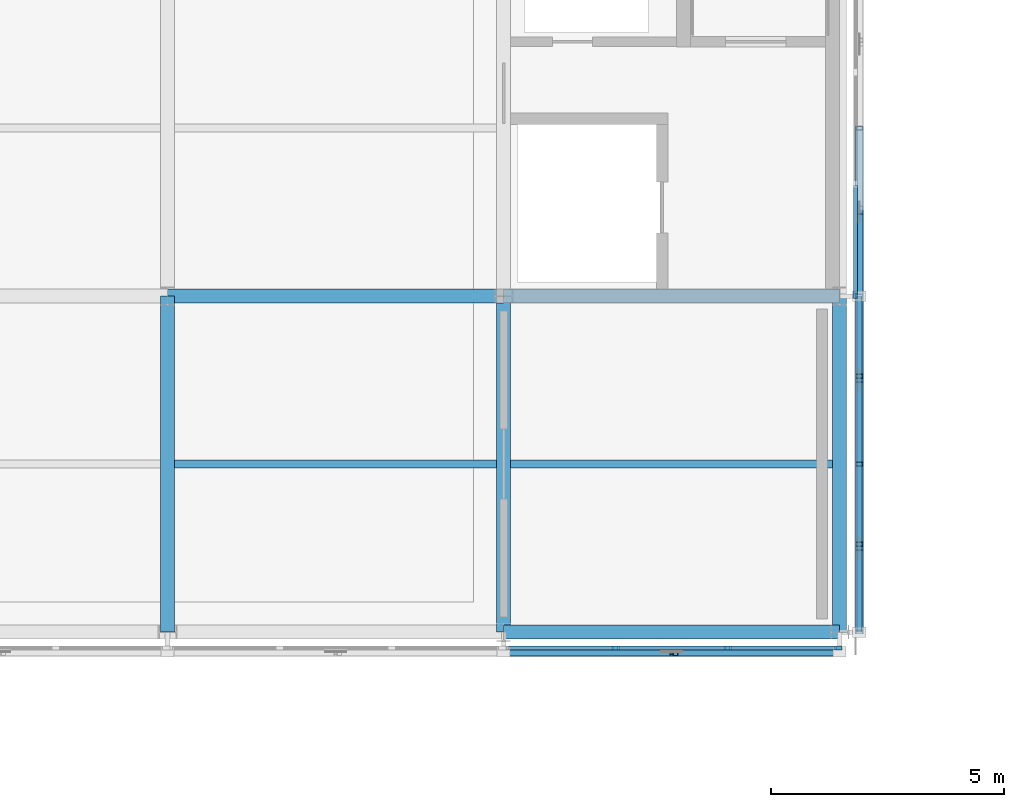
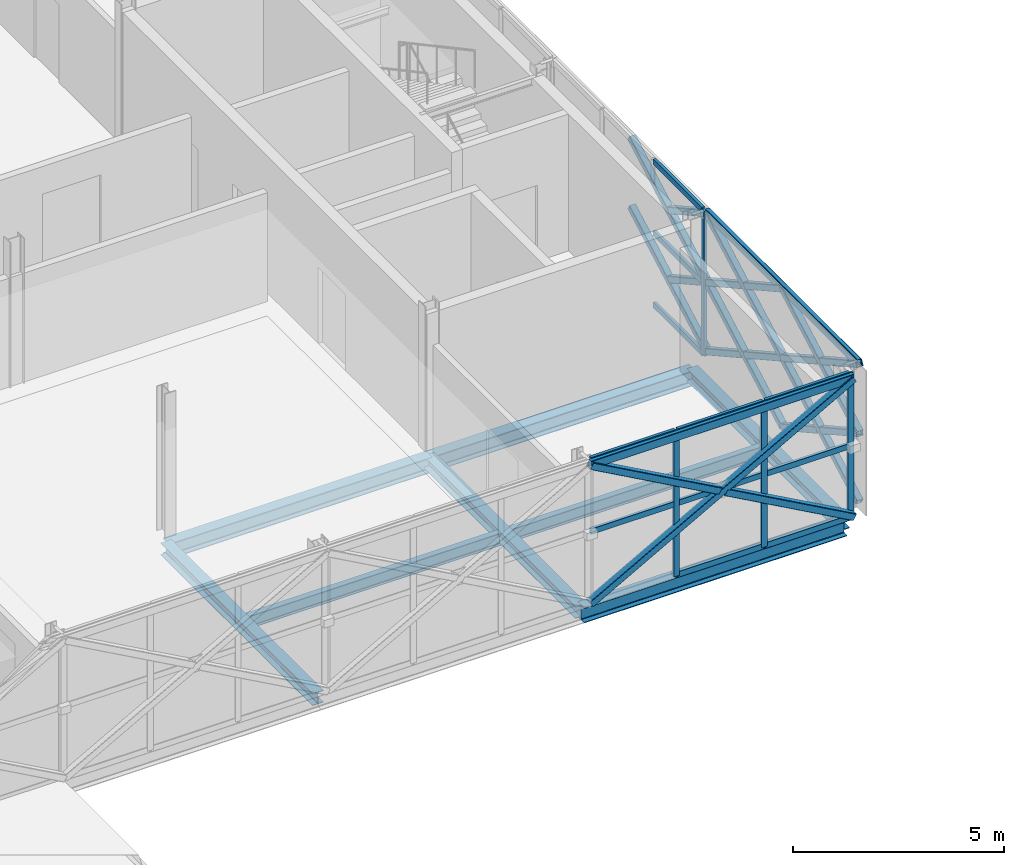
# One storey, part 52 of 126: 36 members, 8 beams, 2 elements without a shape of their own.
"""IFC4 building model written with IfcOpenShell, lengths in metres."""

from ifc_helpers import new_model, si_unit, direction, frame, origin, origin_2d, place, context, subcontext, project, spatial, rectangle, hollow_rectangle, i_section, extrude, material, material_profile, profile_set, type_object, element, aggregate, save


model = new_model("IFC4")

# Units and contexts
model_context = context("Model", 3, precision=1e-05, world=origin(), true_north=direction((0.0, 1.0)))
body_context = subcontext(model_context, "Body", "Model", "MODEL_VIEW")
ifc_project = project(units=[si_unit("LENGTHUNIT", "METRE"), si_unit("AREAUNIT", "SQUARE_METRE"), si_unit("VOLUMEUNIT", "CUBIC_METRE"), si_unit("PLANEANGLEUNIT", "RADIAN"), si_unit("MASSUNIT", "GRAM", prefix="KILO")], contexts=[model_context])

# Site, building, storey
site_placement = place(None, origin())
site = spatial("IfcSite", under=ifc_project, at=site_placement, CompositionType="ELEMENT")
building_placement = place(site_placement, origin())
building = spatial("IfcBuilding", under=site, at=building_placement, Name="Zlatovets Crest Museum", CompositionType="ELEMENT")
storey_placement = place(building_placement, frame((0.0, 0.0, 8.699951171875)))
storey = spatial("IfcBuildingStorey", under=building, at=storey_placement, Name="L02", CompositionType="ELEMENT", Elevation=8.699951171875)

# Beams
ifc_material_1 = material(Name="Structural steel S355J2", Category="steel")
ifc_material_profile_1 = material_profile(ifc_material_1, i_section(OverallWidth=0.300048828125, OverallDepth=0.35009765625, WebThickness=0.010009765625, FlangeThickness=0.017578125, FilletRadius=0.027099609375, at=origin_2d()), Name="HEA 360")
ifc_profile_set_1 = profile_set([ifc_material_profile_1], Name="Structural steel S355J2")
beam_type_1 = type_object("IfcBeamType", Name="Beam_B-03", PredefinedType="BEAM", material=ifc_profile_set_1)
for number, where, z_axis, x_axis, name in (
    (1, (93.60009765625, 86.39990234375, -0.39501953125), (0.0, 1.0, 0.0), (-1.0, 0.0, 0.0), "V1 L02 Grid Beam B-03"),
    (2, (100.800048828125, 86.39990234375, -0.39501953125), (0.0, 1.0, 0.0), (-1.0, 0.0, 0.0), "V1 L02 Grid Beam B-03"),
    (3, (108.0, 86.39990234375, -0.39501953125), (0.0, 1.0, 0.0), (-1.0, 0.0, 0.0), "V1 L02 Grid Beam B-03"),
):
    element("IfcBeam", number, at=place(storey_placement, frame(where, z_axis=z_axis, x_axis=x_axis)), inside=storey, type_object=beam_type_1, Name=name, PredefinedType="BEAM", context=body_context, shape_type="SweptSolid", body=[
        extrude(i_section(OverallWidth=0.300048828125, OverallDepth=0.35009765625, WebThickness=0.010009765625, FlangeThickness=0.017578125, FilletRadius=0.027099609375, at=origin_2d()), origin(), (0.0, 0.0, 1.0), 7.2001953125),
    ])
ifc_material_profile_2 = material_profile(ifc_material_1, i_section(OverallWidth=0.300048828125, OverallDepth=0.43994140625, WebThickness=0.011474609375, FlangeThickness=0.02099609375, FilletRadius=0.027099609375, at=origin_2d()), Name="HEA 450")
ifc_profile_set_2 = profile_set([ifc_material_profile_2], Name="Structural steel S355J2")
beam_type_2 = type_object("IfcBeamType", Name="Beam_B-10", PredefinedType="BEAM", material=ifc_profile_set_2)
for number, where, z_axis, x_axis, name in (
    (4, (100.800048828125, 86.39990234375, -0.43994140625), (1.0, 0.0, 0.0), (0.0, 1.0, 0.0), "V1 L02 Primary Girder B-10"),
    (5, (93.60009765625, 93.60009765625, -0.43994140625), (1.0, 0.0, 0.0), (0.0, 1.0, 0.0), "V1 L02 Primary Girder B-10"),
    (6, (100.800048828125, 93.60009765625, -0.43994140625), (1.0, 0.0, 0.0), (0.0, 1.0, 0.0), "V1 L02 Primary Girder B-10"),
):
    element("IfcBeam", number, at=place(storey_placement, frame(where, z_axis=z_axis, x_axis=x_axis)), inside=storey, type_object=beam_type_2, Name=name, PredefinedType="BEAM", context=body_context, shape_type="SweptSolid", body=[
        extrude(i_section(OverallWidth=0.300048828125, OverallDepth=0.43994140625, WebThickness=0.011474609375, FlangeThickness=0.02099609375, FilletRadius=0.027099609375, at=origin_2d()), origin(), (0.0, 0.0, 1.0), 7.199951171875),
    ])
ifc_material_profile_3 = material_profile(ifc_material_1, i_section(OverallWidth=0.169921875, OverallDepth=0.360107421875, WebThickness=0.008056640625, FlangeThickness=0.0126953125, FilletRadius=0.01806640625, at=origin_2d()), Name="IPE 360")
ifc_profile_set_3 = profile_set([ifc_material_profile_3], Name="Structural steel S355J2")
beam_type_3 = type_object("IfcBeamType", Name="Beam_J-01", PredefinedType="JOIST", material=ifc_profile_set_3)
beam_1_placement = place(storey_placement, frame((93.75, 90.0, -0.39990234375), z_axis=(1.0, 0.0, 0.0), x_axis=(0.0, 1.0, 0.0)))
element("IfcBeam", 7, at=beam_1_placement, inside=storey, type_object=beam_type_3, Name="V1 L02 Composite Joist J-01", PredefinedType="JOIST", context=body_context, shape_type="SweptSolid", body=[
    extrude(i_section(OverallWidth=0.169921875, OverallDepth=0.360107421875, WebThickness=0.008056640625, FlangeThickness=0.0126953125, FilletRadius=0.01806640625, at=origin_2d()), origin(), (0.0, 0.0, 1.0), 6.89990234375),
])
beam_2_placement = place(storey_placement, frame((100.949951171875, 90.0, -0.39990234375), z_axis=(1.0, 0.0, 0.0), x_axis=(0.0, 1.0, 0.0)))
element("IfcBeam", 8, at=beam_2_placement, inside=storey, type_object=beam_type_3, Name="V1 L02 Composite Joist J-01", PredefinedType="JOIST", context=body_context, shape_type="SweptSolid", body=[
    extrude(i_section(OverallWidth=0.169921875, OverallDepth=0.360107421875, WebThickness=0.008056640625, FlangeThickness=0.0126953125, FilletRadius=0.01806640625, at=origin_2d()), origin(), (0.0, 0.0, 1.0), 6.900146484375),
])

# Curtain wall, members
ifc_material_2 = material(Name="Bronze-anodised aluminium and low-E triple glass", Category="aluminium")
curtain_wall_type_1 = type_object("IfcCurtainWallType", Name="CW_CW-V1-L02-M2", PredefinedType="NOTDEFINED", material=ifc_material_2)
curtain_wall_1_placement = place(storey_placement, origin())
curtain_wall_1 = element("IfcCurtainWall", 9, at=curtain_wall_1_placement, inside=storey, type_object=curtain_wall_type_1, Name="V1 L02 Secession Foyer Clear Curtain Wall", PredefinedType="NOTDEFINED")
ifc_material_3 = material(Name="Bronze-anodised aluminium EN AW-6060", Category="aluminium")
ifc_material_profile_4 = material_profile(ifc_material_3, rectangle(XDim=0.080078125, YDim=0.159912109375, at=origin_2d()), Name="ALU 80x160")
ifc_profile_set_4 = profile_set([ifc_material_profile_4], Name="Bronze-anodised aluminium EN AW-6060")
member_type_1 = type_object("IfcMemberType", Name="CWMull_M1", PredefinedType="MULLION", material=ifc_profile_set_4)
member_1_placement = place(storey_placement, frame((103.199951171875, 86.06005859375, 0.0), z_axis=(0.0, 0.0, 1.0), x_axis=(0.0, 1.0, 0.0)))
member_1 = element("IfcMember", 10, at=member_1_placement, type_object=member_type_1, Name="CW-V1-L02-M2 mullion 2", PredefinedType="MULLION", context=body_context, shape_type="SweptSolid", body=[
    extrude(rectangle(XDim=0.080078125, YDim=0.159912109375, at=origin_2d()), origin(), (0.0, 0.0, 1.0), 4.199951171875),
])
member_2_placement = place(storey_placement, frame((105.60009765625, 86.06005859375, 0.0), z_axis=(0.0, 0.0, 1.0), x_axis=(0.0, 1.0, 0.0)))
member_2 = element("IfcMember", 11, at=member_2_placement, type_object=member_type_1, Name="CW-V1-L02-M2 mullion 3", PredefinedType="MULLION", context=body_context, shape_type="SweptSolid", body=[
    extrude(rectangle(XDim=0.080078125, YDim=0.159912109375, at=origin_2d()), origin(), (0.0, 0.0, 1.0), 4.199951171875),
])
member_3_placement = place(storey_placement, frame((107.969970703125, 86.06005859375, 0.0), z_axis=(0.0, 0.0, 1.0), x_axis=(0.0, 1.0, 0.0)))
member_3 = element("IfcMember", 12, at=member_3_placement, type_object=member_type_1, Name="CW-V1-L02-M2 mullion 4", PredefinedType="MULLION", context=body_context, shape_type="SweptSolid", body=[
    extrude(rectangle(XDim=0.080078125, YDim=0.159912109375, at=origin_2d()), origin(), (0.0, 0.0, 1.0), 4.199951171875),
])

# Curtain wall, member
curtain_wall_type_2 = type_object("IfcCurtainWallType", Name="CW_CW-V1-L02-M0", PredefinedType="NOTDEFINED", material=ifc_material_2)
curtain_wall_2_placement = place(storey_placement, origin())
curtain_wall_2 = element("IfcCurtainWall", 13, at=curtain_wall_2_placement, inside=storey, type_object=curtain_wall_type_2, Name="V1 L02 Expressed Core Glazed Facade", PredefinedType="NOTDEFINED")
member_4_placement = place(storey_placement, frame((108.340087890625, 93.6298828125, 0.0), z_axis=(0.0, 0.0, 1.0), x_axis=(-1.0, 0.0, 0.0)))
member_4 = element("IfcMember", 14, at=member_4_placement, type_object=member_type_1, Name="CW-V1-L02-M0 mullion 1", PredefinedType="MULLION", context=body_context, shape_type="SweptSolid", body=[
    extrude(rectangle(XDim=0.080078125, YDim=0.159912109375, at=origin_2d()), origin(), (0.0, 0.0, 1.0), 4.199951171875),
])

# Member
ifc_material_profile_5 = material_profile(ifc_material_3, rectangle(XDim=0.080078125, YDim=0.159912109375, at=origin_2d()), Name="ALU 80x160")
ifc_profile_set_5 = profile_set([ifc_material_profile_5], Name="Bronze-anodised aluminium EN AW-6060")
member_type_2 = type_object("IfcMemberType", Name="CWTrans_T1", PredefinedType="USERDEFINED", material=ifc_profile_set_5)
member_5_placement = place(storey_placement, frame((100.860107421875, 86.06005859375, 2.10009765625), z_axis=(1.0, 0.0, 0.0), x_axis=(0.0, 1.0, 0.0)))
member_5 = element("IfcMember", 15, at=member_5_placement, type_object=member_type_2, Name="CW-V1-L02-M2 transom 1.2", ObjectType="TRANSOM", PredefinedType="USERDEFINED", context=body_context, shape_type="SweptSolid", body=[
    extrude(rectangle(XDim=0.080078125, YDim=0.159912109375, at=origin_2d()), origin(), (0.0, 0.0, 1.0), 2.309814453125),
])

member_6_placement = place(storey_placement, frame((100.860107421875, 86.06005859375, 4.170166015625), z_axis=(1.0, 0.0, 0.0), x_axis=(0.0, 1.0, 0.0)))
member_6 = element("IfcMember", 16, at=member_6_placement, type_object=member_type_2, Name="CW-V1-L02-M2 transom 1.3", ObjectType="TRANSOM", PredefinedType="USERDEFINED", context=body_context, shape_type="SweptSolid", body=[
    extrude(rectangle(XDim=0.080078125, YDim=0.159912109375, at=origin_2d()), origin(), (0.0, 0.0, 1.0), 2.309814453125),
])

member_7_placement = place(storey_placement, frame((103.22998046875, 86.06005859375, 0.030029296875), z_axis=(1.0, 0.0, 0.0), x_axis=(0.0, 1.0, 0.0)))
member_7 = element("IfcMember", 17, at=member_7_placement, type_object=member_type_2, Name="CW-V1-L02-M2 transom 2.1", ObjectType="TRANSOM", PredefinedType="USERDEFINED", context=body_context, shape_type="SweptSolid", body=[
    extrude(rectangle(XDim=0.080078125, YDim=0.159912109375, at=origin_2d()), origin(), (0.0, 0.0, 1.0), 2.340087890625),
])

member_8_placement = place(storey_placement, frame((103.22998046875, 86.06005859375, 2.10009765625), z_axis=(1.0, 0.0, 0.0), x_axis=(0.0, 1.0, 0.0)))
member_8 = element("IfcMember", 18, at=member_8_placement, type_object=member_type_2, Name="CW-V1-L02-M2 transom 2.2", ObjectType="TRANSOM", PredefinedType="USERDEFINED", context=body_context, shape_type="SweptSolid", body=[
    extrude(rectangle(XDim=0.080078125, YDim=0.159912109375, at=origin_2d()), origin(), (0.0, 0.0, 1.0), 2.340087890625),
])

member_9_placement = place(storey_placement, frame((103.22998046875, 86.06005859375, 4.170166015625), z_axis=(1.0, 0.0, 0.0), x_axis=(0.0, 1.0, 0.0)))
member_9 = element("IfcMember", 19, at=member_9_placement, type_object=member_type_2, Name="CW-V1-L02-M2 transom 2.3", ObjectType="TRANSOM", PredefinedType="USERDEFINED", context=body_context, shape_type="SweptSolid", body=[
    extrude(rectangle(XDim=0.080078125, YDim=0.159912109375, at=origin_2d()), origin(), (0.0, 0.0, 1.0), 2.340087890625),
])

member_10_placement = place(storey_placement, frame((105.6298828125, 86.06005859375, 0.030029296875), z_axis=(1.0, 0.0, 0.0), x_axis=(0.0, 1.0, 0.0)))
member_10 = element("IfcMember", 20, at=member_10_placement, type_object=member_type_2, Name="CW-V1-L02-M2 transom 3.1", ObjectType="TRANSOM", PredefinedType="USERDEFINED", context=body_context, shape_type="SweptSolid", body=[
    extrude(rectangle(XDim=0.080078125, YDim=0.159912109375, at=origin_2d()), origin(), (0.0, 0.0, 1.0), 2.31005859375),
])

member_11_placement = place(storey_placement, frame((105.6298828125, 86.06005859375, 2.10009765625), z_axis=(1.0, 0.0, 0.0), x_axis=(0.0, 1.0, 0.0)))
member_11 = element("IfcMember", 21, at=member_11_placement, type_object=member_type_2, Name="CW-V1-L02-M2 transom 3.2", ObjectType="TRANSOM", PredefinedType="USERDEFINED", context=body_context, shape_type="SweptSolid", body=[
    extrude(rectangle(XDim=0.080078125, YDim=0.159912109375, at=origin_2d()), origin(), (0.0, 0.0, 1.0), 2.31005859375),
])

member_12_placement = place(storey_placement, frame((105.6298828125, 86.06005859375, 4.170166015625), z_axis=(1.0, 0.0, 0.0), x_axis=(0.0, 1.0, 0.0)))
member_12 = element("IfcMember", 22, at=member_12_placement, type_object=member_type_2, Name="CW-V1-L02-M2 transom 3.3", ObjectType="TRANSOM", PredefinedType="USERDEFINED", context=body_context, shape_type="SweptSolid", body=[
    extrude(rectangle(XDim=0.080078125, YDim=0.159912109375, at=origin_2d()), origin(), (0.0, 0.0, 1.0), 2.31005859375),
])

aggregate(curtain_wall_1, [member_1, member_2, member_3, member_5, member_6, member_7, member_8, member_9, member_10, member_11, member_12])

member_13_placement = place(storey_placement, frame((108.340087890625, 93.659912109375, 0.030029296875), z_axis=(0.0, 1.0, 0.0), x_axis=(-1.0, 0.0, 0.0)))
member_13 = element("IfcMember", 23, at=member_13_placement, type_object=member_type_2, Name="CW-V1-L02-M0 transom 1.1", ObjectType="TRANSOM", PredefinedType="USERDEFINED", context=body_context, shape_type="SweptSolid", body=[
    extrude(rectangle(XDim=0.080078125, YDim=0.159912109375, at=origin_2d()), origin(), (0.0, 0.0, 1.0), 2.31005859375),
])

member_14_placement = place(storey_placement, frame((108.340087890625, 93.659912109375, 2.10009765625), z_axis=(0.0, 1.0, 0.0), x_axis=(-1.0, 0.0, 0.0)))
member_14 = element("IfcMember", 24, at=member_14_placement, type_object=member_type_2, Name="CW-V1-L02-M0 transom 1.2", ObjectType="TRANSOM", PredefinedType="USERDEFINED", context=body_context, shape_type="SweptSolid", body=[
    extrude(rectangle(XDim=0.080078125, YDim=0.159912109375, at=origin_2d()), origin(), (0.0, 0.0, 1.0), 2.31005859375),
])

member_15_placement = place(storey_placement, frame((108.340087890625, 93.659912109375, 4.170166015625), z_axis=(0.0, 1.0, 0.0), x_axis=(-1.0, 0.0, 0.0)))
member_15 = element("IfcMember", 25, at=member_15_placement, type_object=member_type_2, Name="CW-V1-L02-M0 transom 1.3", ObjectType="TRANSOM", PredefinedType="USERDEFINED", context=body_context, shape_type="SweptSolid", body=[
    extrude(rectangle(XDim=0.080078125, YDim=0.159912109375, at=origin_2d()), origin(), (0.0, 0.0, 1.0), 2.31005859375),
])

aggregate(curtain_wall_2, [member_4, member_13, member_14, member_15])

# Members
ifc_material_4 = material(Name="Weathering bronze-steel S355J2W", Category="steel")
ifc_material_profile_6 = material_profile(ifc_material_4, hollow_rectangle(XDim=0.179931640625, YDim=0.179931640625, WallThickness=0.010009765625, InnerFilletRadius=0.010009765625, OuterFilletRadius=0.02001953125, at=origin_2d()), Name="SHS 180x180x10.0")
ifc_profile_set_6 = profile_set([ifc_material_profile_6], Name="Weathering bronze-steel S355J2W")
member_type_3 = type_object("IfcMemberType", Name="Lattice_XL-01", PredefinedType="BRACE", material=ifc_profile_set_6)
member_16_placement = place(storey_placement, frame((108.419921875, 86.39990234375, 0.10009765625), z_axis=(0.0, 0.874162868644, 0.485632864501), x_axis=(-1.0, 0.0, 0.0)))
element("IfcMember", 26, at=member_16_placement, inside=storey, type_object=member_type_3, Name="Continuous Bronze Lattice Diagonal", PredefinedType="BRACE", context=body_context, shape_type="SweptSolid", body=[
    extrude(hollow_rectangle(XDim=0.179931640625, YDim=0.179931640625, WallThickness=0.010009765625, InnerFilletRadius=0.010009765625, OuterFilletRadius=0.02001953125, at=origin_2d()), origin(), (0.0, 0.0, 1.0), 4.118408203125),
])
for number, where, z_axis, x_axis, name in (
    (27, (108.419921875, 86.39990234375, 2.10009765625), (0.0, 0.874169001841, -0.485621824284), (-1.0, 0.0, 0.0), "Split Crossing Bronze Lattice Diagonal Upper"),
    (28, (108.419921875, 88.282958984375, 1.053955078125), (0.0, 0.874169001841, -0.485621824284), (-1.0, 0.0, 0.0), "Split Crossing Bronze Lattice Diagonal Lower"),
):
    element("IfcMember", number, at=place(storey_placement, frame(where, z_axis=z_axis, x_axis=x_axis)), inside=storey, type_object=member_type_3, Name=name, PredefinedType="BRACE", context=body_context, shape_type="SweptSolid", body=[
        extrude(hollow_rectangle(XDim=0.179931640625, YDim=0.179931640625, WallThickness=0.010009765625, InnerFilletRadius=0.010009765625, OuterFilletRadius=0.02001953125, at=origin_2d()), origin(), (0.0, 0.0, 1.0), 1.964111328125),
    ])
member_17_placement = place(storey_placement, frame((108.419921875, 90.0, 0.10009765625), z_axis=(0.0, 0.874162868644, 0.485632864501), x_axis=(-1.0, 0.0, 0.0)))
element("IfcMember", 29, at=member_17_placement, inside=storey, type_object=member_type_3, Name="Continuous Bronze Lattice Diagonal", PredefinedType="BRACE", context=body_context, shape_type="SweptSolid", body=[
    extrude(hollow_rectangle(XDim=0.179931640625, YDim=0.179931640625, WallThickness=0.010009765625, InnerFilletRadius=0.010009765625, OuterFilletRadius=0.02001953125, at=origin_2d()), origin(), (0.0, 0.0, 1.0), 4.118408203125),
])
for number, where, z_axis, x_axis, name in (
    (30, (108.419921875, 90.0, 2.10009765625), (0.0, 0.874169001841, -0.485621824284), (-1.0, 0.0, 0.0), "Split Crossing Bronze Lattice Diagonal Upper"),
    (31, (108.419921875, 91.883056640625, 1.053955078125), (0.0, 0.874169001841, -0.485621824284), (-1.0, 0.0, 0.0), "Split Crossing Bronze Lattice Diagonal Lower"),
):
    element("IfcMember", number, at=place(storey_placement, frame(where, z_axis=z_axis, x_axis=x_axis)), inside=storey, type_object=member_type_3, Name=name, PredefinedType="BRACE", context=body_context, shape_type="SweptSolid", body=[
        extrude(hollow_rectangle(XDim=0.179931640625, YDim=0.179931640625, WallThickness=0.010009765625, InnerFilletRadius=0.010009765625, OuterFilletRadius=0.02001953125, at=origin_2d()), origin(), (0.0, 0.0, 1.0), 1.964111328125),
    ])
member_18_placement = place(storey_placement, frame((108.419921875, 86.39990234375, 2.10009765625), z_axis=(0.0, 0.874162868644, 0.485632864501), x_axis=(-1.0, 0.0, 0.0)))
element("IfcMember", 32, at=member_18_placement, inside=storey, type_object=member_type_3, Name="Continuous Bronze Lattice Diagonal", PredefinedType="BRACE", context=body_context, shape_type="SweptSolid", body=[
    extrude(hollow_rectangle(XDim=0.179931640625, YDim=0.179931640625, WallThickness=0.010009765625, InnerFilletRadius=0.010009765625, OuterFilletRadius=0.02001953125, at=origin_2d()), origin(), (0.0, 0.0, 1.0), 4.118408203125),
])
for number, where, z_axis, x_axis, name in (
    (33, (108.419921875, 86.39990234375, 4.10009765625), (0.0, 0.874169001841, -0.485621824284), (-1.0, 0.0, 0.0), "Split Crossing Bronze Lattice Diagonal Upper"),
    (34, (108.419921875, 88.282958984375, 3.053955078125), (0.0, 0.874169001841, -0.485621824284), (-1.0, 0.0, 0.0), "Split Crossing Bronze Lattice Diagonal Lower"),
):
    element("IfcMember", number, at=place(storey_placement, frame(where, z_axis=z_axis, x_axis=x_axis)), inside=storey, type_object=member_type_3, Name=name, PredefinedType="BRACE", context=body_context, shape_type="SweptSolid", body=[
        extrude(hollow_rectangle(XDim=0.179931640625, YDim=0.179931640625, WallThickness=0.010009765625, InnerFilletRadius=0.010009765625, OuterFilletRadius=0.02001953125, at=origin_2d()), origin(), (0.0, 0.0, 1.0), 1.964111328125),
    ])
member_19_placement = place(storey_placement, frame((108.419921875, 90.0, 2.10009765625), z_axis=(0.0, 0.874162868644, 0.485632864501), x_axis=(-1.0, 0.0, 0.0)))
element("IfcMember", 35, at=member_19_placement, inside=storey, type_object=member_type_3, Name="Continuous Bronze Lattice Diagonal", PredefinedType="BRACE", context=body_context, shape_type="SweptSolid", body=[
    extrude(hollow_rectangle(XDim=0.179931640625, YDim=0.179931640625, WallThickness=0.010009765625, InnerFilletRadius=0.010009765625, OuterFilletRadius=0.02001953125, at=origin_2d()), origin(), (0.0, 0.0, 1.0), 4.118408203125),
])
for number, where, z_axis, x_axis, name in (
    (36, (108.419921875, 90.0, 4.10009765625), (0.0, 0.874169001841, -0.485621824284), (-1.0, 0.0, 0.0), "Split Crossing Bronze Lattice Diagonal Upper"),
    (37, (108.419921875, 91.883056640625, 3.053955078125), (0.0, 0.874169001841, -0.485621824284), (-1.0, 0.0, 0.0), "Split Crossing Bronze Lattice Diagonal Lower"),
):
    element("IfcMember", number, at=place(storey_placement, frame(where, z_axis=z_axis, x_axis=x_axis)), inside=storey, type_object=member_type_3, Name=name, PredefinedType="BRACE", context=body_context, shape_type="SweptSolid", body=[
        extrude(hollow_rectangle(XDim=0.179931640625, YDim=0.179931640625, WallThickness=0.010009765625, InnerFilletRadius=0.010009765625, OuterFilletRadius=0.02001953125, at=origin_2d()), origin(), (0.0, 0.0, 1.0), 1.964111328125),
    ])
member_20_placement = place(storey_placement, frame((108.419921875, 93.60009765625, 0.10009765625), z_axis=(0.0, 0.874148886685, 0.485658031857), x_axis=(-1.0, 0.0, 0.0)))
element("IfcMember", 38, at=member_20_placement, inside=storey, type_object=member_type_3, Name="Continuous Bronze Lattice Diagonal", PredefinedType="BRACE", context=body_context, shape_type="SweptSolid", body=[
    extrude(hollow_rectangle(XDim=0.179931640625, YDim=0.179931640625, WallThickness=0.010009765625, InnerFilletRadius=0.010009765625, OuterFilletRadius=0.02001953125, at=origin_2d()), origin(), (0.0, 0.0, 1.0), 4.1181640625),
])
member_21_placement = place(storey_placement, frame((108.419921875, 93.60009765625, 2.10009765625), z_axis=(0.0, 0.874139684676, -0.48567459443), x_axis=(-1.0, 0.0, 0.0)))
element("IfcMember", 39, at=member_21_placement, inside=storey, type_object=member_type_3, Name="Split Crossing Bronze Lattice Diagonal Upper", PredefinedType="BRACE", context=body_context, shape_type="SweptSolid", body=[
    extrude(hollow_rectangle(XDim=0.179931640625, YDim=0.179931640625, WallThickness=0.010009765625, InnerFilletRadius=0.010009765625, OuterFilletRadius=0.02001953125, at=origin_2d()), origin(), (0.0, 0.0, 1.0), 1.9638671875),
])
member_22_placement = place(storey_placement, frame((108.419921875, 93.60009765625, 2.10009765625), z_axis=(0.0, 0.874148886685, 0.485658031857), x_axis=(-1.0, 0.0, 0.0)))
element("IfcMember", 40, at=member_22_placement, inside=storey, type_object=member_type_3, Name="Continuous Bronze Lattice Diagonal", PredefinedType="BRACE", context=body_context, shape_type="SweptSolid", body=[
    extrude(hollow_rectangle(XDim=0.179931640625, YDim=0.179931640625, WallThickness=0.010009765625, InnerFilletRadius=0.010009765625, OuterFilletRadius=0.02001953125, at=origin_2d()), origin(), (0.0, 0.0, 1.0), 4.1181640625),
])
member_23_placement = place(storey_placement, frame((108.419921875, 93.60009765625, 4.10009765625), z_axis=(0.0, 0.874139684676, -0.48567459443), x_axis=(-1.0, 0.0, 0.0)))
element("IfcMember", 41, at=member_23_placement, inside=storey, type_object=member_type_3, Name="Split Crossing Bronze Lattice Diagonal Upper", PredefinedType="BRACE", context=body_context, shape_type="SweptSolid", body=[
    extrude(hollow_rectangle(XDim=0.179931640625, YDim=0.179931640625, WallThickness=0.010009765625, InnerFilletRadius=0.010009765625, OuterFilletRadius=0.02001953125, at=origin_2d()), origin(), (0.0, 0.0, 1.0), 1.9638671875),
])
ifc_material_profile_7 = material_profile(ifc_material_4, hollow_rectangle(XDim=0.199951171875, YDim=0.199951171875, WallThickness=0.012451171875, InnerFilletRadius=0.012451171875, OuterFilletRadius=0.02490234375, at=origin_2d()), Name="SHS 200x200x12.5")
ifc_profile_set_7 = profile_set([ifc_material_profile_7], Name="Weathering bronze-steel S355J2W")
member_type_4 = type_object("IfcMemberType", Name="Lattice_XL-02", PredefinedType="BRACE", material=ifc_profile_set_7)
member_24_placement = place(storey_placement, frame((100.800048828125, 85.97998046875, 0.10009765625), z_axis=(0.874155877937, 0.0, 0.485645447903), x_axis=(0.0, 1.0, 0.0)))
element("IfcMember", 42, at=member_24_placement, inside=storey, type_object=member_type_4, Name="Continuous Bronze Lattice Diagonal", PredefinedType="BRACE", context=body_context, shape_type="SweptSolid", body=[
    extrude(hollow_rectangle(XDim=0.199951171875, YDim=0.199951171875, WallThickness=0.012451171875, InnerFilletRadius=0.012451171875, OuterFilletRadius=0.02490234375, at=origin_2d()), origin(), (0.0, 0.0, 1.0), 8.236572265625),
])
member_25_placement = place(storey_placement, frame((100.800048828125, 85.97998046875, 4.10009765625), z_axis=(0.874151551165, 0.0, -0.485653235958), x_axis=(0.0, 1.0, 0.0)))
element("IfcMember", 43, at=member_25_placement, inside=storey, type_object=member_type_4, Name="Split Crossing Bronze Lattice Diagonal Upper", PredefinedType="BRACE", context=body_context, shape_type="SweptSolid", body=[
    extrude(hollow_rectangle(XDim=0.199951171875, YDim=0.199951171875, WallThickness=0.012451171875, InnerFilletRadius=0.012451171875, OuterFilletRadius=0.02490234375, at=origin_2d()), origin(), (0.0, 0.0, 1.0), 4.023193359375),
])
member_26_placement = place(storey_placement, frame((104.48291015625, 85.97998046875, 2.053955078125), z_axis=(0.874165862873, 0.0, -0.485627474703), x_axis=(0.0, 1.0, 0.0)))
element("IfcMember", 44, at=member_26_placement, inside=storey, type_object=member_type_4, Name="Split Crossing Bronze Lattice Diagonal Lower", PredefinedType="BRACE", context=body_context, shape_type="SweptSolid", body=[
    extrude(hollow_rectangle(XDim=0.199951171875, YDim=0.199951171875, WallThickness=0.012451171875, InnerFilletRadius=0.012451171875, OuterFilletRadius=0.02490234375, at=origin_2d()), origin(), (0.0, 0.0, 1.0), 4.0234375),
])
ifc_material_profile_8 = material_profile(ifc_material_4, hollow_rectangle(XDim=0.1201171875, YDim=0.239990234375, WallThickness=0.010009765625, InnerFilletRadius=0.010009765625, OuterFilletRadius=0.02001953125, at=origin_2d()), Name="RHS 120x240x10.0")
ifc_profile_set_8 = profile_set([ifc_material_profile_8], Name="Weathering bronze-steel S355J2W")
member_type_5 = type_object("IfcMemberType", Name="Lattice_XL-04", PredefinedType="CHORD", material=ifc_profile_set_8)
member_27_placement = place(storey_placement, frame((100.800048828125, 85.97998046875, 4.10009765625), z_axis=(1.0, 0.0, 0.0), x_axis=(0.0, 1.0, 0.0)))
element("IfcMember", 45, at=member_27_placement, inside=storey, type_object=member_type_5, Name="Art Nouveau Woven Cage Collector Ring Chord", PredefinedType="CHORD", context=body_context, shape_type="SweptSolid", body=[
    extrude(hollow_rectangle(XDim=0.1201171875, YDim=0.239990234375, WallThickness=0.010009765625, InnerFilletRadius=0.010009765625, OuterFilletRadius=0.02001953125, at=origin_2d()), origin(), (0.0, 0.0, 1.0), 7.199951171875),
])
member_28_placement = place(storey_placement, frame((108.419921875, 86.39990234375, 4.10009765625), z_axis=(0.0, 1.0, 0.0), x_axis=(-1.0, 0.0, 0.0)))
element("IfcMember", 46, at=member_28_placement, inside=storey, type_object=member_type_5, Name="Art Nouveau Woven Cage Collector Ring Chord", PredefinedType="CHORD", context=body_context, shape_type="SweptSolid", body=[
    extrude(hollow_rectangle(XDim=0.1201171875, YDim=0.239990234375, WallThickness=0.010009765625, InnerFilletRadius=0.010009765625, OuterFilletRadius=0.02001953125, at=origin_2d()), origin(), (0.0, 0.0, 1.0), 7.2001953125),
])

save(model, "model.ifc")
